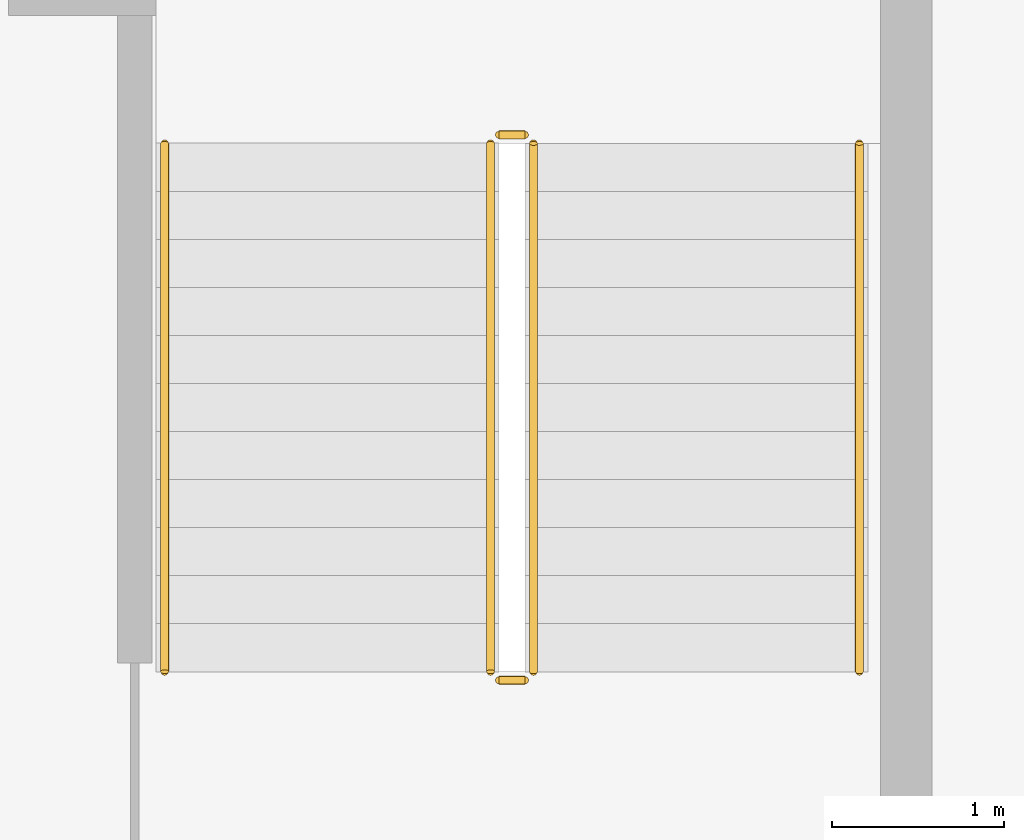
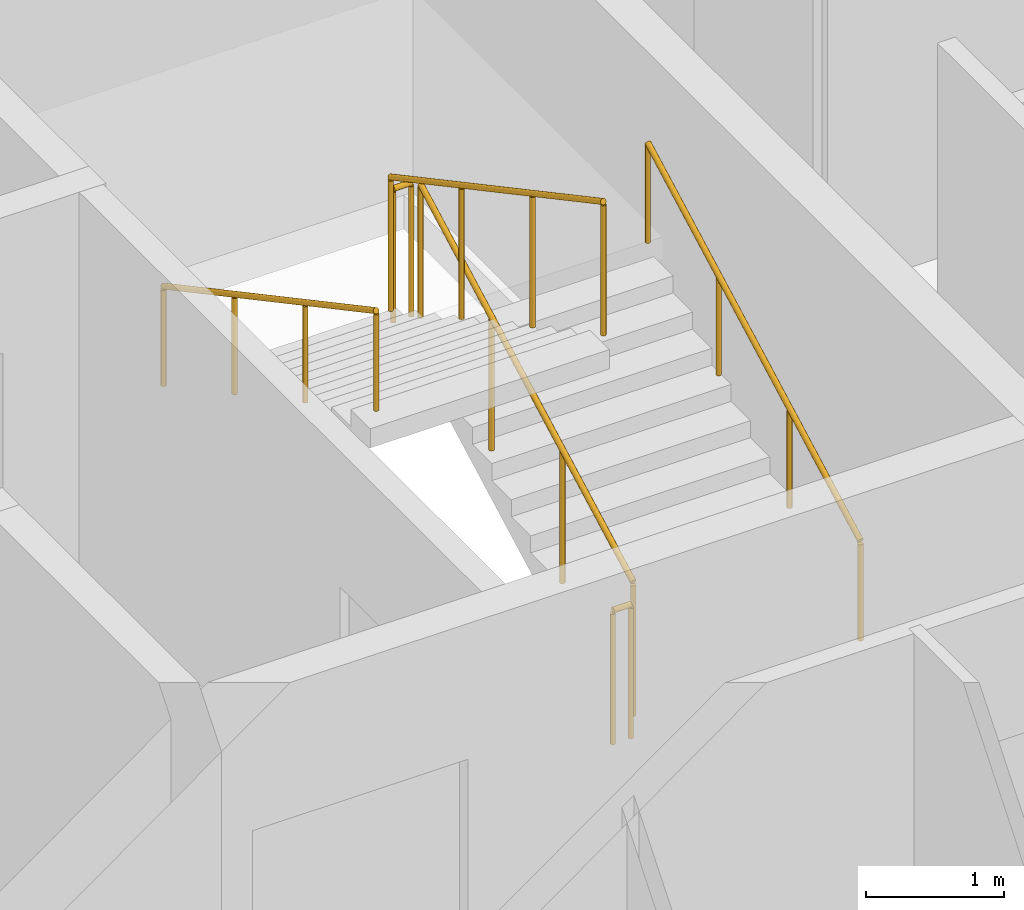
# One storey, part 15 of 15: 6 railings.
"""IFC4 building model written with IfcOpenShell, lengths in metres."""

from ifc_helpers import new_model, si_unit, direction, frame, origin, origin_2d, place, context, subcontext, project, spatial, circle, extrude, material, type_object, element, save


model = new_model("IFC4")

# Units and contexts
model_context = context("Model", 3, precision=1e-05, world=origin(), true_north=direction((0.0, 1.0)))
body_context = subcontext(model_context, "Body", "Model", "MODEL_VIEW")
ifc_project = project(units=[si_unit("LENGTHUNIT", "METRE"), si_unit("AREAUNIT", "SQUARE_METRE"), si_unit("VOLUMEUNIT", "CUBIC_METRE"), si_unit("PLANEANGLEUNIT", "RADIAN"), si_unit("MASSUNIT", "GRAM", prefix="KILO")], contexts=[model_context])

# Site, building, storey
site_placement = place(None, origin())
site = spatial("IfcSite", under=ifc_project, at=site_placement, CompositionType="ELEMENT")
building_placement = place(site_placement, origin())
building = spatial("IfcBuilding", under=site, at=building_placement, Name="Caravel Reach Hotel and Residences", CompositionType="ELEMENT")
storey_placement = place(building_placement, frame((0.0, 0.0, 78.0)))
storey = spatial("IfcBuildingStorey", under=building, at=storey_placement, Name="L18", CompositionType="ELEMENT", Elevation=78.0)

# Railings
ifc_material_1 = material(Name="Steel balustrade with glass infill", Category="steel")
railing_type_1 = type_object("IfcRailingType", Name="Guard 1200", PredefinedType="GUARDRAIL", material=ifc_material_1)
railing_1_placement = place(storey_placement, frame((42.824951171875, 24.64990234375, 0.14990234375)))
element("IfcRailing", 1, at=railing_1_placement, inside=storey, type_object=railing_type_1, Name="L18 ST-B stair guard 1", PredefinedType="GUARDRAIL", context=body_context, shape_type="SweptSolid", body=[
    extrude(circle(Radius=0.02392578125, at=origin_2d()), frame((0.0, 0.0, 1.17578125), z_axis=(0.0, 0.881467505477, 0.472244678941), x_axis=(-1.0, 0.0, 0.0)), (0.0, 0.0, 1.0), 3.494140625),
    extrude(circle(Radius=0.02099609375, at=origin_2d()), origin(), (0.0, 0.0, 1.0), 1.15185546875),
    extrude(circle(Radius=0.02099609375, at=origin_2d()), frame((0.0, 1.026611328125, 0.550048828125)), (0.0, 0.0, 1.0), 1.15185546875),
    extrude(circle(Radius=0.02099609375, at=origin_2d()), frame((0.0, 2.053466796875, 1.10009765625)), (0.0, 0.0, 1.0), 1.15185546875),
    extrude(circle(Radius=0.02099609375, at=origin_2d()), frame((0.0, 3.080078125, 1.650146484375)), (0.0, 0.0, 1.0), 1.15185546875),
])
railing_2_placement = place(storey_placement, frame((42.77490234375, 27.780029296875, 1.800048828125)))
element("IfcRailing", 2, at=railing_2_placement, inside=storey, type_object=railing_type_1, Name="L18 ST-B stair guard 2", PredefinedType="GUARDRAIL", context=body_context, shape_type="SweptSolid", body=[
    extrude(circle(Radius=0.02392578125, at=origin_2d()), frame((0.0, 0.0, 1.17578125), z_axis=(-1.0, 0.0, 0.0), x_axis=(0.0, -1.0, 0.0)), (0.0, 0.0, 1.0), 0.14990234375),
    extrude(circle(Radius=0.02099609375, at=origin_2d()), origin(), (0.0, 0.0, 1.0), 1.15185546875),
    extrude(circle(Radius=0.02099609375, at=origin_2d()), frame((-0.14990234375, 0.0, 0.0)), (0.0, 0.0, 1.0), 1.15185546875),
])
railing_3_placement = place(storey_placement, frame((42.574951171875, 27.72998046875, 1.949951171875)))
element("IfcRailing", 3, at=railing_3_placement, inside=storey, type_object=railing_type_1, Name="L18 ST-B stair guard 3", PredefinedType="GUARDRAIL", context=body_context, shape_type="SweptSolid", body=[
    extrude(circle(Radius=0.02392578125, at=origin_2d()), frame((0.0, 0.0, 1.17578125), z_axis=(0.0, -0.881467505477, 0.472244678941), x_axis=(1.0, 0.0, 0.0)), (0.0, 0.0, 1.0), 3.494140625),
    extrude(circle(Radius=0.02099609375, at=origin_2d()), origin(), (0.0, 0.0, 1.0), 1.15185546875),
    extrude(circle(Radius=0.02099609375, at=origin_2d()), frame((0.0, -1.026611328125, 0.550048828125)), (0.0, 0.0, 1.0), 1.15185546875),
    extrude(circle(Radius=0.02099609375, at=origin_2d()), frame((0.0, -2.053466796875, 1.10009765625)), (0.0, 0.0, 1.0), 1.15185546875),
    extrude(circle(Radius=0.02099609375, at=origin_2d()), frame((0.0, -3.080078125, 1.650146484375)), (0.0, 0.0, 1.0), 1.15185546875),
])
railing_4_placement = place(storey_placement, frame((42.77490234375, 24.60009765625, 0.0)))
element("IfcRailing", 4, at=railing_4_placement, inside=storey, type_object=railing_type_1, Name="L18 ST-B stair guard 4", PredefinedType="GUARDRAIL", context=body_context, shape_type="SweptSolid", body=[
    extrude(circle(Radius=0.02392578125, at=origin_2d()), frame((0.0, 0.0, 1.17578125), z_axis=(-1.0, 0.0, 0.0), x_axis=(0.0, -1.0, 0.0)), (0.0, 0.0, 1.0), 0.14990234375),
    extrude(circle(Radius=0.02099609375, at=origin_2d()), origin(), (0.0, 0.0, 1.0), 1.15185546875),
    extrude(circle(Radius=0.02099609375, at=origin_2d()), frame((-0.14990234375, 0.0, 0.0)), (0.0, 0.0, 1.0), 1.15185546875),
])
ifc_material_2 = material(Name="Stainless steel handrail", Category="steel")
railing_type_2 = type_object("IfcRailingType", Name="Handrail 900", PredefinedType="HANDRAIL", material=ifc_material_2)
railing_5_placement = place(storey_placement, frame((44.72509765625, 24.64990234375, 0.14990234375)))
element("IfcRailing", 5, at=railing_5_placement, inside=storey, type_object=railing_type_2, Name="L18 ST-B stair handrail 1", PredefinedType="HANDRAIL", context=body_context, shape_type="SweptSolid", body=[
    extrude(circle(Radius=0.02392578125, at=origin_2d()), frame((0.0, 0.0, 0.8759765625), z_axis=(0.0, 0.881467505477, 0.472244678941), x_axis=(-1.0, 0.0, 0.0)), (0.0, 0.0, 1.0), 3.494140625),
    extrude(circle(Radius=0.02099609375, at=origin_2d()), origin(), (0.0, 0.0, 1.0), 0.851806640625),
    extrude(circle(Radius=0.02099609375, at=origin_2d()), frame((0.0, 1.026611328125, 0.550048828125)), (0.0, 0.0, 1.0), 0.851806640625),
    extrude(circle(Radius=0.02099609375, at=origin_2d()), frame((0.0, 2.053466796875, 1.10009765625)), (0.0, 0.0, 1.0), 0.851806640625),
    extrude(circle(Radius=0.02099609375, at=origin_2d()), frame((0.0, 3.080078125, 1.650146484375)), (0.0, 0.0, 1.0), 0.851806640625),
])
railing_6_placement = place(storey_placement, frame((40.675048828125, 27.72998046875, 1.949951171875)))
element("IfcRailing", 6, at=railing_6_placement, inside=storey, type_object=railing_type_2, Name="L18 ST-B stair handrail 2", PredefinedType="HANDRAIL", context=body_context, shape_type="SweptSolid", body=[
    extrude(circle(Radius=0.02392578125, at=origin_2d()), frame((0.0, 0.0, 0.8759765625), z_axis=(0.0, -0.881467505477, 0.472244678941), x_axis=(1.0, 0.0, 0.0)), (0.0, 0.0, 1.0), 3.494140625),
    extrude(circle(Radius=0.02099609375, at=origin_2d()), origin(), (0.0, 0.0, 1.0), 0.851806640625),
    extrude(circle(Radius=0.02099609375, at=origin_2d()), frame((0.0, -1.026611328125, 0.550048828125)), (0.0, 0.0, 1.0), 0.851806640625),
    extrude(circle(Radius=0.02099609375, at=origin_2d()), frame((0.0, -2.053466796875, 1.10009765625)), (0.0, 0.0, 1.0), 0.851806640625),
    extrude(circle(Radius=0.02099609375, at=origin_2d()), frame((0.0, -3.080078125, 1.650146484375)), (0.0, 0.0, 1.0), 0.851806640625),
])

save(model, "model.ifc")
